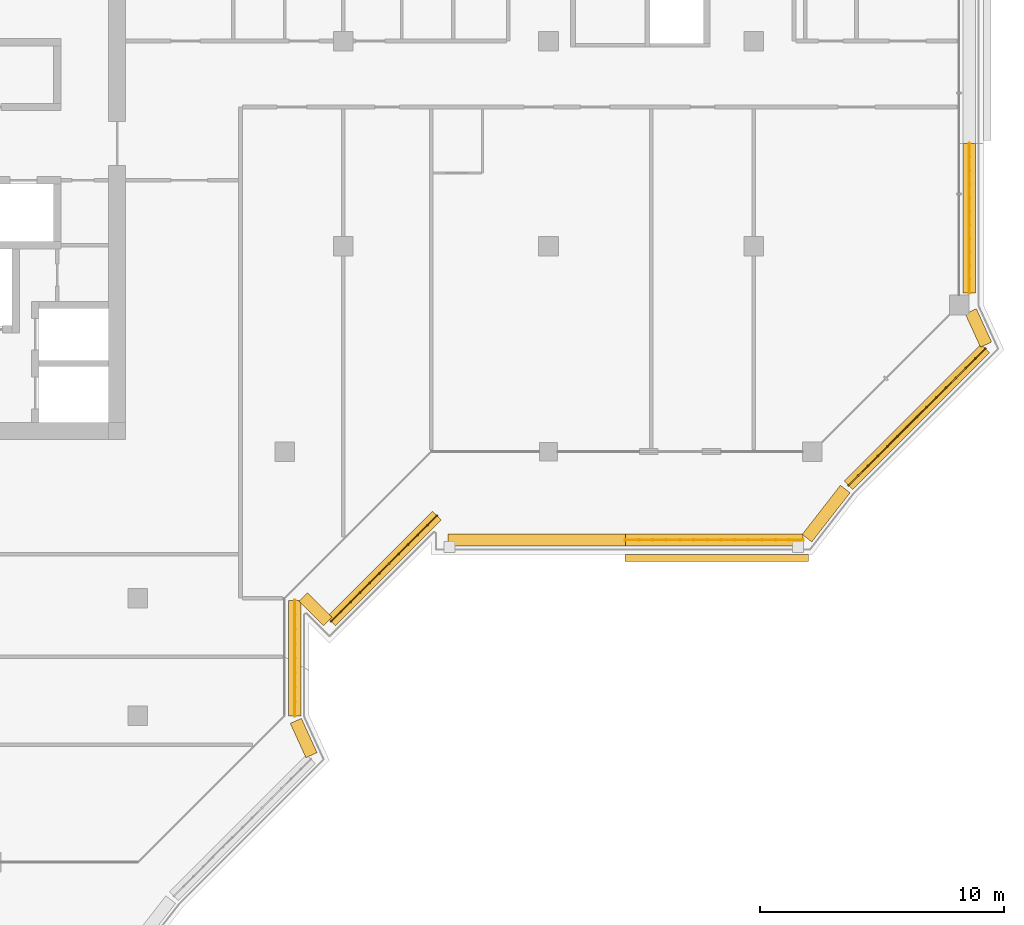
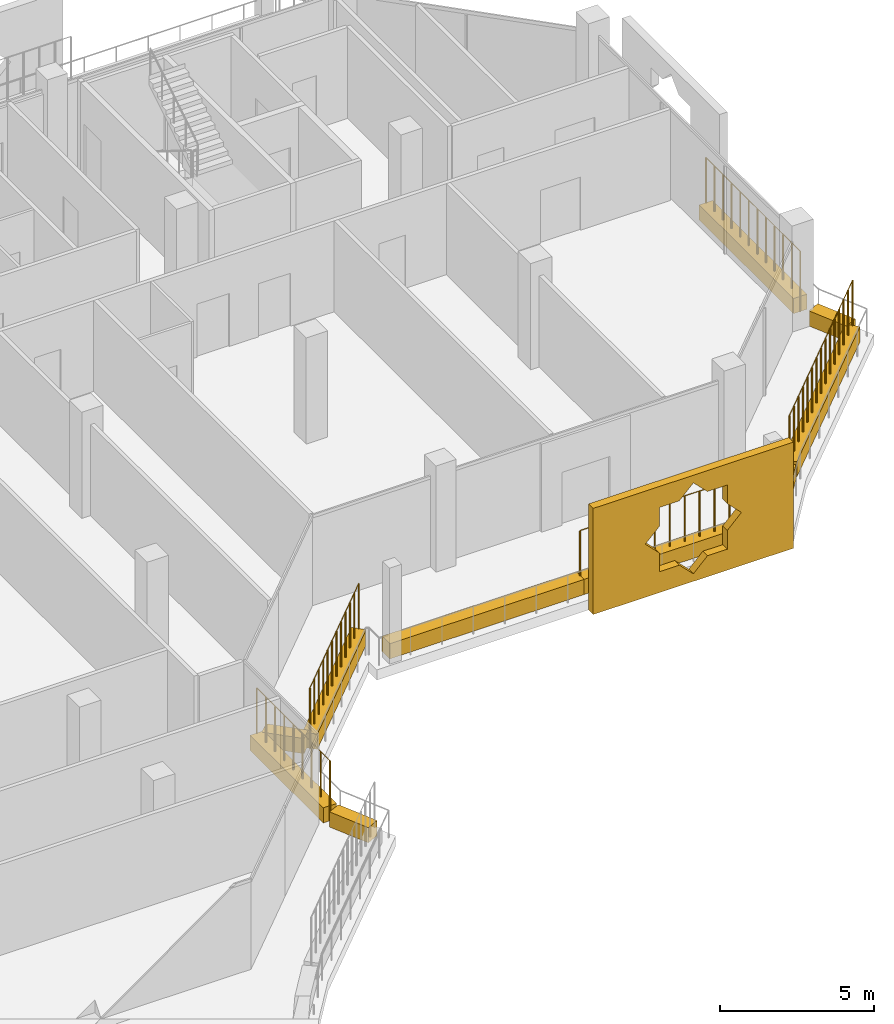
# One storey, part 18 of 21: 11 coverings, 5 railings.
"""IFC4 building model written with IfcOpenShell, lengths in metres."""

import ifcopenshell
import ifcopenshell.guid

model = None  # the IFC model being written
_history = None  # IfcOwnerHistory: only IFC2X3 demands one
_inside = {}  # id of a spatial element -> (the spatial element, [elements in it])
_under = {}  # id of a project, library or spatial element -> (it, [spatial elements below it])
_declared = {}  # id of a project -> (the project, [libraries it declares])
_typed = {}  # id of a type object -> (the type object, [elements of that type])
_made_of = {}  # id of a material, layer set ... -> (it, [elements and type objects made of it])


def new_model(schema):
    """Start an empty IFC model of exactly this schema.

    Asked for "IFC4X3", IfcOpenShell would pick the latest addendum, in which some entities
    have other attributes; the version numbers below select the first issue.
    IFC2X3 requires an IfcOwnerHistory on every rooted entity: one is made here for all.
    """
    global model, _history
    if schema == "IFC4X3":
        model = ifcopenshell.file(schema_version=(4, 3, 0, 0))
    else:
        model = ifcopenshell.file(schema=schema)
    _inside.clear()
    _under.clear()
    _declared.clear()
    _typed.clear()
    _made_of.clear()
    _history = None
    if model.schema == "IFC2X3":
        org = make("IfcOrganization", Name="unknown")
        user = make(
            "IfcPersonAndOrganization",
            ThePerson=make("IfcPerson", FamilyName="unknown"),
            TheOrganization=org,
        )
        app = make(
            "IfcApplication",
            ApplicationDeveloper=org,
            Version="unknown",
            ApplicationFullName="unknown",
            ApplicationIdentifier="unknown",
        )
        _history = make(
            "IfcOwnerHistory",
            OwningUser=user,
            OwningApplication=app,
            ChangeAction="ADDED",
            CreationDate=0,
        )
    return model


def make(cls, **values):
    """One entity of the class cls with the attributes given. An attribute that is None is left unset."""
    return model.create_entity(
        cls, **{name: value for name, value in values.items() if value is not None}
    )


def rooted(cls, **values):
    """An entity with a GlobalId (a new one), such as an element, a storey or a relation."""
    return make(cls, GlobalId=ifcopenshell.guid.new(), OwnerHistory=_history, **values)


def si_unit(unit_type, name, prefix=None):
    """IfcSIUnit, for example si_unit("LENGTHUNIT", "METRE", prefix="MILLI")."""
    return make("IfcSIUnit", UnitType=unit_type, Prefix=prefix, Name=name)


def assignment(units):
    """IfcUnitAssignment: the units of a project."""
    return None if units is None else make("IfcUnitAssignment", Units=units)


def point(xyz):
    """IfcCartesianPoint."""
    return None if xyz is None else make("IfcCartesianPoint", Coordinates=xyz)


def direction(xyz):
    """IfcDirection."""
    return None if xyz is None else make("IfcDirection", DirectionRatios=xyz)


def frame(location, z_axis=None, x_axis=None):
    """IfcAxis2Placement3D, a coordinate frame: its origin and axes. An axis left out is left unset."""
    return make(
        "IfcAxis2Placement3D",
        Location=point(location),
        Axis=direction(z_axis),
        RefDirection=direction(x_axis),
    )


def frame_2d(location, x_axis=None):
    """IfcAxis2Placement2D, a coordinate frame in the plane: its origin and x axis."""
    return make(
        "IfcAxis2Placement2D", Location=point(location), RefDirection=direction(x_axis)
    )


def origin():
    """The frame at (0, 0, 0) with its axes left unset."""
    return frame((0.0, 0.0, 0.0))


def origin_2d():
    """The frame at (0, 0) in the plane with its x axis left unset."""
    return frame_2d((0.0, 0.0))


def place(relative_to, where):
    """IfcLocalPlacement: puts the frame where relative to a parent placement (None: the world)."""
    return make(
        "IfcLocalPlacement", PlacementRelTo=relative_to, RelativePlacement=where
    )


def context(
    kind, dimensions, precision=None, world=None, true_north=None, identifier=None
):
    """IfcGeometricRepresentationContext, for example the 3D "Model" context."""
    return make(
        "IfcGeometricRepresentationContext",
        ContextIdentifier=identifier,
        ContextType=kind,
        CoordinateSpaceDimension=dimensions,
        Precision=precision,
        WorldCoordinateSystem=world,
        TrueNorth=true_north,
    )


def subcontext(parent, identifier, kind, view, scale=None):
    """IfcGeometricRepresentationSubContext, for example "Body" below "Model"."""
    return make(
        "IfcGeometricRepresentationSubContext",
        ContextIdentifier=identifier,
        ContextType=kind,
        ParentContext=parent,
        TargetScale=scale,
        TargetView=view,
    )


def project(units=None, contexts=None):
    """IfcProject with its units and contexts."""
    return rooted(
        "IfcProject",
        Name="project",
        RepresentationContexts=contexts,
        UnitsInContext=assignment(units),
    )


def spatial(cls, under=None, at=None, **own):
    """A site, building, storey or space (cls), placed at a placement, below another one or the project."""
    s = rooted(cls, ObjectPlacement=at, **own)
    if under is not None:
        _under.setdefault(under.id(), (under, []))[1].append(s)
    return s


def polyline(points):
    """IfcPolyline through the points."""
    return make("IfcPolyline", Points=[point(p) for p in points])


def profile(cls, at=None, kind="AREA", **sizes):
    """A parametric profile (cls). Its sizes go by their IFC names, for example OverallWidth=200.0."""
    return make(cls, ProfileType=kind, Position=at, **sizes)


def rectangle(**sizes):
    """IfcRectangleProfileDef."""
    return profile("IfcRectangleProfileDef", **sizes)


def circle(**sizes):
    """IfcCircleProfileDef."""
    return profile("IfcCircleProfileDef", **sizes)


def outline(outer, holes=None, kind="AREA"):
    """IfcArbitraryClosedProfileDef: a profile drawn as a closed curve; with holes, ...WithVoids."""
    if holes is None:
        return make("IfcArbitraryClosedProfileDef", ProfileType=kind, OuterCurve=outer)
    return make(
        "IfcArbitraryProfileDefWithVoids",
        ProfileType=kind,
        OuterCurve=outer,
        InnerCurves=holes,
    )


def extrude(swept, where, along, depth):
    """IfcExtrudedAreaSolid: the profile swept, set in the frame where, extruded along a direction by depth."""
    return make(
        "IfcExtrudedAreaSolid",
        SweptArea=swept,
        Position=where,
        ExtrudedDirection=direction(along),
        Depth=depth,
    )


def shape(context_of_items, identifier, shape_type, items):
    """IfcShapeRepresentation: the items that make up one representation, for example the "Body"."""
    return make(
        "IfcShapeRepresentation",
        ContextOfItems=context_of_items,
        RepresentationIdentifier=identifier,
        RepresentationType=shape_type,
        Items=items,
    )


def material(Name=None, Category=None):
    """IfcMaterial."""
    return make("IfcMaterial", Name=Name, Category=Category)


def material_profile(
    of_material, cross_section, Name=None, Category=None, Priority=None
):
    """IfcMaterialProfile: a cross section and its material."""
    return make(
        "IfcMaterialProfile",
        Name=Name,
        Material=of_material,
        Profile=cross_section,
        Priority=Priority,
        Category=Category,
    )


def profile_set(profiles, Name=None, composite=None):
    """IfcMaterialProfileSet."""
    return make(
        "IfcMaterialProfileSet",
        Name=Name,
        MaterialProfiles=profiles,
        CompositeProfile=composite,
    )


def made_of(thing, what):
    """Note that an element or type object is made of a material, layer set ...; save() writes the relation."""
    if what is not None:
        _made_of.setdefault(what.id(), (what, []))[1].append(thing)
    return thing


def type_object(cls, material=None, **own):
    """A type object (cls), such as IfcWallType, which elements share."""
    return made_of(rooted(cls, **own), material)


def element(
    cls,
    number,
    at=None,
    inside=None,
    cuts=None,
    type_object=None,
    material=None,
    context=None,
    identifier="Body",
    shape_type=None,
    held_by="IfcProductDefinitionShape",
    body=None,
    shapes=None,
    **own,
):
    """One element of the class cls, such as IfcWall. Its Tag is "e" and its number.

    at: its placement. inside: the storey or other place that contains it. cuts: it is an
    opening in that element (IfcRelVoidsElement). A single representation is given by context,
    identifier, shape_type and body (its items); several are given by shapes. held_by: the class
    of the entity that holds the representations. save() writes the other relations.
    """
    e = rooted(cls, Tag="e%d" % number, ObjectPlacement=at, **own)
    if body is not None:
        shapes = [shape(context, identifier, shape_type, body)]
    if shapes is not None:
        e.Representation = make(held_by, Representations=shapes)
    if inside is not None:
        _inside.setdefault(inside.id(), (inside, []))[1].append(e)
    if cuts is not None:
        rooted(
            "IfcRelVoidsElement", RelatingBuildingElement=cuts, RelatedOpeningElement=e
        )
    if type_object is not None:
        _typed.setdefault(type_object.id(), (type_object, []))[1].append(e)
    return made_of(e, material)


def aggregate(whole, parts):
    """IfcRelAggregates: a whole, such as a stair, and the parts it consists of."""
    return rooted("IfcRelAggregates", RelatingObject=whole, RelatedObjects=parts)


def save(model, path):
    """Write the relations noted so far, then the file.

    IfcRelAggregates (storeys below a building ...), IfcRelContainedInSpatialStructure (elements
    in a storey), IfcRelDefinesByType, IfcRelAssociatesMaterial and IfcRelDeclares: one each for
    every whole, place, type object, material and project.
    """
    for whole, parts in _under.values():
        aggregate(whole, parts)
    for where, things in _inside.values():
        rooted(
            "IfcRelContainedInSpatialStructure",
            RelatedElements=things,
            RelatingStructure=where,
        )
    for kind, things in _typed.values():
        rooted("IfcRelDefinesByType", RelatedObjects=things, RelatingType=kind)
    for what, things in _made_of.values():
        rooted("IfcRelAssociatesMaterial", RelatedObjects=things, RelatingMaterial=what)
    for by, libraries in _declared.values():
        rooted("IfcRelDeclares", RelatingContext=by, RelatedDefinitions=libraries)
    model.write(path)


model = new_model("IFC4")

# Units and contexts
model_context = context("Model", 3, precision=1e-05, world=origin(), true_north=direction((0.0, 1.0)))
body_context = subcontext(model_context, "Body", "Model", "MODEL_VIEW")
ifc_project = project(units=[si_unit("LENGTHUNIT", "METRE"), si_unit("AREAUNIT", "SQUARE_METRE"), si_unit("VOLUMEUNIT", "CUBIC_METRE"), si_unit("PLANEANGLEUNIT", "RADIAN"), si_unit("MASSUNIT", "GRAM", prefix="KILO")], contexts=[model_context])

# Site, building, storey
site_placement = place(None, origin())
site = spatial("IfcSite", under=ifc_project, at=site_placement, CompositionType="ELEMENT")
building_placement = place(site_placement, origin())
building = spatial("IfcBuilding", under=site, at=building_placement, Name="Kawkab Arch Medical Tower", CompositionType="ELEMENT")
storey_placement = place(building_placement, frame((0.0, 0.0, 307.0)))
storey = spatial("IfcBuildingStorey", under=building, at=storey_placement, Name="L71", CompositionType="ELEMENT", Elevation=307.0)

# Coverings
ifc_material_1 = material(Name="Bronze anodised aluminium mashrabiya panel, eight-point star pattern", Category="aluminium")
ifc_material_profile_1 = material_profile(ifc_material_1, outline(polyline([(-3.75, -2.10009765625), (3.75, -2.10009765625), (3.75, 2.10009765625), (-3.75, 2.10009765625), (-3.75, -2.10009765625)]), holes=[polyline([(1.800048828125, 0.0), (1.272705078125, 0.527099609375), (1.272705078125, 1.272705078125), (0.527099609375, 1.272705078125), (0.0, 1.800048828125), (-0.527099609375, 1.272705078125), (-1.272705078125, 1.272705078125), (-1.272705078125, 0.527099609375), (-1.800048828125, 0.0), (-1.272705078125, -0.527099609375), (-1.272705078125, -1.272705078125), (-0.527099609375, -1.272705078125), (0.0, -1.800048828125), (0.527099609375, -1.272705078125), (1.272705078125, -1.272705078125), (1.272705078125, -0.527099609375), (1.800048828125, 0.0)])]), Name="Mashrabiya panel 7500x4200")
ifc_profile_set_1 = profile_set([ifc_material_profile_1], Name="Bronze anodised aluminium mashrabiya panel, eight-point star pattern")
covering_type_1 = type_object("IfcCoveringType", Name="Mashrabiya panel 7500 x 4200", PredefinedType="USERDEFINED", material=ifc_profile_set_1)
covering_1_placement = place(storey_placement, frame((48.87890625, -29.39990234375, 1.699951171875), z_axis=(0.0, -1.0, 0.0), x_axis=(1.0, 0.0, 0.0)))
element("IfcCovering", 1, at=covering_1_placement, inside=storey, type_object=covering_type_1, Name="Mashrabiya panel L71.LOG-01-01.7", ObjectType="SCREEN", PredefinedType="USERDEFINED", context=body_context, shape_type="SweptSolid", body=[
    extrude(outline(polyline([(-3.75, -2.10009765625), (3.75, -2.10009765625), (3.75, 2.10009765625), (-3.75, 2.10009765625), (-3.75, -2.10009765625)]), holes=[polyline([(1.800048828125, 0.0), (1.272705078125, 0.527099609375), (1.272705078125, 1.272705078125), (0.527099609375, 1.272705078125), (0.0, 1.800048828125), (-0.527099609375, 1.272705078125), (-1.272705078125, 1.272705078125), (-1.272705078125, 0.527099609375), (-1.800048828125, 0.0), (-1.272705078125, -0.527099609375), (-1.272705078125, -1.272705078125), (-0.527099609375, -1.272705078125), (0.0, -1.800048828125), (0.527099609375, -1.272705078125), (1.272705078125, -1.272705078125), (1.272705078125, -0.527099609375), (1.800048828125, 0.0)])]), origin(), (0.0, 0.0, 1.0), 0.300048828125),
])
ifc_material_2 = material(Name="Planting soil in a precast trough", Category="concrete")
ifc_material_profile_2 = material_profile(ifc_material_2, rectangle(XDim=0.5, YDim=0.60009765625, at=origin_2d()), Name="Trough 500x600")
ifc_profile_set_2 = profile_set([ifc_material_profile_2], Name="Planting soil in a precast trough")
covering_type_2 = type_object("IfcCoveringType", Name="Planter trough 500 x 600", PredefinedType="USERDEFINED", material=ifc_profile_set_2)
covering_2_placement = place(storey_placement, frame((59.219970703125, -12.60009765625, 0.300048828125), z_axis=(0.0, -1.0, 0.0), x_axis=(1.0, 0.0, 0.0)))
element("IfcCovering", 2, at=covering_2_placement, inside=storey, type_object=covering_type_2, Name="Planter L71.LOG-01-01.23", ObjectType="PLANTER", PredefinedType="USERDEFINED", context=body_context, shape_type="SweptSolid", body=[
    extrude(rectangle(XDim=0.5, YDim=0.60009765625, at=origin_2d()), origin(), (0.0, 0.0, 1.0), 6.119873046875),
])
covering_3_placement = place(storey_placement, frame((59.280029296875, -19.4580078125, 0.300048828125), z_axis=(0.415189748133, -0.909734836667, 0.0), x_axis=(0.909734836667, 0.415189748133, 0.0)))
element("IfcCovering", 3, at=covering_3_placement, inside=storey, type_object=covering_type_2, Name="Planter L71.LOG-01-01.24", ObjectType="PLANTER", PredefinedType="USERDEFINED", context=body_context, shape_type="SweptSolid", body=[
    extrude(rectangle(XDim=0.5, YDim=0.60009765625, at=origin_2d()), origin(), (0.0, 0.0, 1.0), 1.498291015625),
])
covering_4_placement = place(storey_placement, frame((59.873046875, -20.98291015625, 0.300048828125), z_axis=(-0.707106781187, -0.707106781187, 0.0), x_axis=(0.707106781187, -0.707106781187, 0.0)))
element("IfcCovering", 4, at=covering_4_placement, inside=storey, type_object=covering_type_2, Name="Planter L71.LOG-01-01.25", ObjectType="PLANTER", PredefinedType="USERDEFINED", context=body_context, shape_type="SweptSolid", body=[
    extrude(rectangle(XDim=0.5, YDim=0.60009765625, at=origin_2d()), origin(), (0.0, 0.0, 1.0), 7.919677734375),
])
covering_5_placement = place(storey_placement, frame((54.14111328125, -26.73193359375, 0.300048828125), z_axis=(-0.614099956103, -0.789228258436, 0.0), x_axis=(0.789228258436, -0.614099956103, 0.0)))
element("IfcCovering", 5, at=covering_5_placement, inside=storey, type_object=covering_type_2, Name="Planter L71.LOG-01-01.26", ObjectType="PLANTER", PredefinedType="USERDEFINED", context=body_context, shape_type="SweptSolid", body=[
    extrude(rectangle(XDim=0.5, YDim=0.60009765625, at=origin_2d()), origin(), (0.0, 0.0, 1.0), 2.545654296875),
])
for number, where, z_axis, x_axis, name in (
    (6, (52.416015625, -28.820068359375, 0.300048828125), (-1.0, 0.0, 0.0), (0.0, -1.0, 0.0), "Planter L71.LOG-01-01.27"),
    (7, (45.14794921875, -28.820068359375, 0.300048828125), (-1.0, 0.0, 0.0), (0.0, -1.0, 0.0), "Planter L71.LOG-01-01.28"),
):
    element("IfcCovering", number, at=place(storey_placement, frame(where, z_axis=z_axis, x_axis=x_axis)), inside=storey, type_object=covering_type_2, Name=name, ObjectType="PLANTER", PredefinedType="USERDEFINED", context=body_context, shape_type="SweptSolid", body=[
        extrude(rectangle(XDim=0.5, YDim=0.60009765625, at=origin_2d()), origin(), (0.0, 0.0, 1.0), 7.26806640625),
    ])
covering_6_placement = place(storey_placement, frame((37.43701171875, -27.820068359375, 0.300048828125), z_axis=(-0.707206504313, -0.707007043994, 0.0), x_axis=(0.707007043994, -0.707206504313, 0.0)))
element("IfcCovering", 8, at=covering_6_placement, inside=storey, type_object=covering_type_2, Name="Planter L71.LOG-01-01.29", ObjectType="PLANTER", PredefinedType="USERDEFINED", context=body_context, shape_type="SweptSolid", body=[
    extrude(rectangle(XDim=0.5, YDim=0.60009765625, at=origin_2d()), origin(), (0.0, 0.0, 1.0), 6.1201171875),
])
covering_7_placement = place(storey_placement, frame((32.967041015625, -32.14697265625, 0.300048828125), z_axis=(-0.707192746389, 0.707020805532, 0.0), x_axis=(-0.707020805532, -0.707192746389, 0.0)))
element("IfcCovering", 9, at=covering_7_placement, inside=storey, type_object=covering_type_2, Name="Planter L71.LOG-01-01.30", ObjectType="PLANTER", PredefinedType="USERDEFINED", context=body_context, shape_type="SweptSolid", body=[
    extrude(rectangle(XDim=0.5, YDim=0.60009765625, at=origin_2d()), origin(), (0.0, 0.0, 1.0), 1.419921875),
])
covering_8_placement = place(storey_placement, frame((31.6201171875, -31.284912109375, 0.300048828125), z_axis=(0.0, -1.0, 0.0), x_axis=(1.0, 0.0, 0.0)))
element("IfcCovering", 10, at=covering_8_placement, inside=storey, type_object=covering_type_2, Name="Planter L71.LOG-01-01.31", ObjectType="PLANTER", PredefinedType="USERDEFINED", context=body_context, shape_type="SweptSolid", body=[
    extrude(rectangle(XDim=0.5, YDim=0.60009765625, at=origin_2d()), origin(), (0.0, 0.0, 1.0), 4.740966796875),
])
covering_9_placement = place(storey_placement, frame((31.660888671875, -36.217041015625, 0.300048828125), z_axis=(0.415363486165, -0.909655525109, 0.0), x_axis=(0.909655525109, 0.415363486165, 0.0)))
element("IfcCovering", 11, at=covering_9_placement, inside=storey, type_object=covering_type_2, Name="Planter L71.LOG-01-01.32", ObjectType="PLANTER", PredefinedType="USERDEFINED", context=body_context, shape_type="SweptSolid", body=[
    extrude(rectangle(XDim=0.5, YDim=0.60009765625, at=origin_2d()), origin(), (0.0, 0.0, 1.0), 1.54345703125),
])

# Railings
ifc_material_3 = material(Name="Bronze anodised aluminium trellis for climbing plants", Category="aluminium")
railing_type = type_object("IfcRailingType", Name="Planting trellis 2400", PredefinedType="USERDEFINED", material=ifc_material_3)
railing_1_placement = place(storey_placement, frame((59.219970703125, -12.60009765625, 0.0)))
element("IfcRailing", 12, at=railing_1_placement, inside=storey, type_object=railing_type, Name="Planting trellis L71.LOG-01-01.23", ObjectType="TRELLIS", PredefinedType="USERDEFINED", context=body_context, shape_type="SweptSolid", body=[
    extrude(circle(Radius=0.01513671875, at=origin_2d()), frame((0.0, 0.0, 2.384765625), z_axis=(0.0, -1.0, 0.0), x_axis=(1.0, 0.0, 0.0)), (0.0, 0.0, 1.0), 6.119873046875),
    extrude(circle(Radius=0.030029296875, at=origin_2d()), origin(), (0.0, 0.0, 1.0), 2.369873046875),
    extrude(circle(Radius=0.030029296875, at=origin_2d()), frame((0.0, -0.556396484375, 0.0)), (0.0, 0.0, 1.0), 2.369873046875),
    extrude(circle(Radius=0.030029296875, at=origin_2d()), frame((0.0, -1.11279296875, 0.0)), (0.0, 0.0, 1.0), 2.369873046875),
    extrude(circle(Radius=0.030029296875, at=origin_2d()), frame((0.0, -1.6689453125, 0.0)), (0.0, 0.0, 1.0), 2.369873046875),
    extrude(circle(Radius=0.030029296875, at=origin_2d()), frame((0.0, -2.225341796875, 0.0)), (0.0, 0.0, 1.0), 2.369873046875),
    extrude(circle(Radius=0.030029296875, at=origin_2d()), frame((0.0, -2.78173828125, 0.0)), (0.0, 0.0, 1.0), 2.369873046875),
    extrude(circle(Radius=0.030029296875, at=origin_2d()), frame((0.0, -3.338134765625, 0.0)), (0.0, 0.0, 1.0), 2.369873046875),
    extrude(circle(Radius=0.030029296875, at=origin_2d()), frame((0.0, -3.89453125, 0.0)), (0.0, 0.0, 1.0), 2.369873046875),
    extrude(circle(Radius=0.030029296875, at=origin_2d()), frame((0.0, -4.450927734375, 0.0)), (0.0, 0.0, 1.0), 2.369873046875),
    extrude(circle(Radius=0.030029296875, at=origin_2d()), frame((0.0, -5.007080078125, 0.0)), (0.0, 0.0, 1.0), 2.369873046875),
    extrude(circle(Radius=0.030029296875, at=origin_2d()), frame((0.0, -5.5634765625, 0.0)), (0.0, 0.0, 1.0), 2.369873046875),
    extrude(circle(Radius=0.030029296875, at=origin_2d()), frame((0.0, -6.119873046875, 0.0)), (0.0, 0.0, 1.0), 2.369873046875),
])
railing_2_placement = place(storey_placement, frame((59.873046875, -20.98291015625, 0.0)))
element("IfcRailing", 13, at=railing_2_placement, inside=storey, type_object=railing_type, Name="Planting trellis L71.LOG-01-01.25", ObjectType="TRELLIS", PredefinedType="USERDEFINED", context=body_context, shape_type="SweptSolid", body=[
    extrude(circle(Radius=0.01513671875, at=origin_2d()), frame((0.0, 0.0, 2.384765625), z_axis=(-0.707106781187, -0.707106781187, 0.0), x_axis=(0.707106781187, -0.707106781187, 0.0)), (0.0, 0.0, 1.0), 7.919677734375),
    extrude(circle(Radius=0.030029296875, at=origin_2d()), origin(), (0.0, 0.0, 1.0), 2.369873046875),
    extrude(circle(Radius=0.030029296875, at=origin_2d()), frame((-0.39990234375, -0.39990234375, 0.0)), (0.0, 0.0, 1.0), 2.369873046875),
    extrude(circle(Radius=0.030029296875, at=origin_2d()), frame((-0.800048828125, -0.800048828125, 0.0)), (0.0, 0.0, 1.0), 2.369873046875),
    extrude(circle(Radius=0.030029296875, at=origin_2d()), frame((-1.199951171875, -1.199951171875, 0.0)), (0.0, 0.0, 1.0), 2.369873046875),
    extrude(circle(Radius=0.030029296875, at=origin_2d()), frame((-1.60009765625, -1.60009765625, 0.0)), (0.0, 0.0, 1.0), 2.369873046875),
    extrude(circle(Radius=0.030029296875, at=origin_2d()), frame((-2.0, -2.0, 0.0)), (0.0, 0.0, 1.0), 2.369873046875),
    extrude(circle(Radius=0.030029296875, at=origin_2d()), frame((-2.400146484375, -2.400146484375, 0.0)), (0.0, 0.0, 1.0), 2.369873046875),
    extrude(circle(Radius=0.030029296875, at=origin_2d()), frame((-2.800048828125, -2.800048828125, 0.0)), (0.0, 0.0, 1.0), 2.369873046875),
    extrude(circle(Radius=0.030029296875, at=origin_2d()), frame((-3.199951171875, -3.199951171875, 0.0)), (0.0, 0.0, 1.0), 2.369873046875),
    extrude(circle(Radius=0.030029296875, at=origin_2d()), frame((-3.60009765625, -3.60009765625, 0.0)), (0.0, 0.0, 1.0), 2.369873046875),
    extrude(circle(Radius=0.030029296875, at=origin_2d()), frame((-4.0, -4.0, 0.0)), (0.0, 0.0, 1.0), 2.369873046875),
    extrude(circle(Radius=0.030029296875, at=origin_2d()), frame((-4.400146484375, -4.400146484375, 0.0)), (0.0, 0.0, 1.0), 2.369873046875),
    extrude(circle(Radius=0.030029296875, at=origin_2d()), frame((-4.800048828125, -4.800048828125, 0.0)), (0.0, 0.0, 1.0), 2.369873046875),
    extrude(circle(Radius=0.030029296875, at=origin_2d()), frame((-5.2001953125, -5.2001953125, 0.0)), (0.0, 0.0, 1.0), 2.369873046875),
    extrude(circle(Radius=0.030029296875, at=origin_2d()), frame((-5.60009765625, -5.60009765625, 0.0)), (0.0, 0.0, 1.0), 2.369873046875),
])
railing_3_placement = place(storey_placement, frame((52.416015625, -28.820068359375, 0.0)))
element("IfcRailing", 14, at=railing_3_placement, inside=storey, type_object=railing_type, Name="Planting trellis L71.LOG-01-01.27", ObjectType="TRELLIS", PredefinedType="USERDEFINED", context=body_context, shape_type="SweptSolid", body=[
    extrude(circle(Radius=0.01513671875, at=origin_2d()), frame((0.0, 0.0, 2.384765625), z_axis=(-1.0, 0.0, 0.0), x_axis=(0.0, -1.0, 0.0)), (0.0, 0.0, 1.0), 7.26806640625),
    extrude(circle(Radius=0.030029296875, at=origin_2d()), origin(), (0.0, 0.0, 1.0), 2.369873046875),
    extrude(circle(Radius=0.030029296875, at=origin_2d()), frame((-0.55908203125, 0.0, 0.0)), (0.0, 0.0, 1.0), 2.369873046875),
    extrude(circle(Radius=0.030029296875, at=origin_2d()), frame((-1.1181640625, 0.0, 0.0)), (0.0, 0.0, 1.0), 2.369873046875),
    extrude(circle(Radius=0.030029296875, at=origin_2d()), frame((-1.67724609375, 0.0, 0.0)), (0.0, 0.0, 1.0), 2.369873046875),
    extrude(circle(Radius=0.030029296875, at=origin_2d()), frame((-2.236328125, 0.0, 0.0)), (0.0, 0.0, 1.0), 2.369873046875),
    extrude(circle(Radius=0.030029296875, at=origin_2d()), frame((-2.79541015625, 0.0, 0.0)), (0.0, 0.0, 1.0), 2.369873046875),
    extrude(circle(Radius=0.030029296875, at=origin_2d()), frame((-3.3544921875, 0.0, 0.0)), (0.0, 0.0, 1.0), 2.369873046875),
    extrude(circle(Radius=0.030029296875, at=origin_2d()), frame((-3.91357421875, 0.0, 0.0)), (0.0, 0.0, 1.0), 2.369873046875),
    extrude(circle(Radius=0.030029296875, at=origin_2d()), frame((-4.47265625, 0.0, 0.0)), (0.0, 0.0, 1.0), 2.369873046875),
    extrude(circle(Radius=0.030029296875, at=origin_2d()), frame((-5.03173828125, 0.0, 0.0)), (0.0, 0.0, 1.0), 2.369873046875),
    extrude(circle(Radius=0.030029296875, at=origin_2d()), frame((-5.5908203125, 0.0, 0.0)), (0.0, 0.0, 1.0), 2.369873046875),
    extrude(circle(Radius=0.030029296875, at=origin_2d()), frame((-6.14990234375, 0.0, 0.0)), (0.0, 0.0, 1.0), 2.369873046875),
    extrude(circle(Radius=0.030029296875, at=origin_2d()), frame((-6.708984375, 0.0, 0.0)), (0.0, 0.0, 1.0), 2.369873046875),
    extrude(circle(Radius=0.030029296875, at=origin_2d()), frame((-7.26806640625, 0.0, 0.0)), (0.0, 0.0, 1.0), 2.369873046875),
])
railing_4_placement = place(storey_placement, frame((37.43701171875, -27.820068359375, 0.0)))
element("IfcRailing", 15, at=railing_4_placement, inside=storey, type_object=railing_type, Name="Planting trellis L71.LOG-01-01.29", ObjectType="TRELLIS", PredefinedType="USERDEFINED", context=body_context, shape_type="SweptSolid", body=[
    extrude(circle(Radius=0.01513671875, at=origin_2d()), frame((0.0, 0.0, 2.384765625), z_axis=(-0.707206504313, -0.707007043994, 0.0), x_axis=(0.707007043994, -0.707206504313, 0.0)), (0.0, 0.0, 1.0), 6.1201171875),
    extrude(circle(Radius=0.030029296875, at=origin_2d()), origin(), (0.0, 0.0, 1.0), 2.369873046875),
    extrude(circle(Radius=0.030029296875, at=origin_2d()), frame((-0.3935546875, -0.393310546875, 0.0)), (0.0, 0.0, 1.0), 2.369873046875),
    extrude(circle(Radius=0.030029296875, at=origin_2d()), frame((-0.786865234375, -0.78662109375, 0.0)), (0.0, 0.0, 1.0), 2.369873046875),
    extrude(circle(Radius=0.030029296875, at=origin_2d()), frame((-1.180419921875, -1.18017578125, 0.0)), (0.0, 0.0, 1.0), 2.369873046875),
    extrude(circle(Radius=0.030029296875, at=origin_2d()), frame((-1.573974609375, -1.573486328125, 0.0)), (0.0, 0.0, 1.0), 2.369873046875),
    extrude(circle(Radius=0.030029296875, at=origin_2d()), frame((-1.96728515625, -1.966796875, 0.0)), (0.0, 0.0, 1.0), 2.369873046875),
    extrude(circle(Radius=0.030029296875, at=origin_2d()), frame((-2.36083984375, -2.360107421875, 0.0)), (0.0, 0.0, 1.0), 2.369873046875),
    extrude(circle(Radius=0.030029296875, at=origin_2d()), frame((-2.754150390625, -2.75341796875, 0.0)), (0.0, 0.0, 1.0), 2.369873046875),
    extrude(circle(Radius=0.030029296875, at=origin_2d()), frame((-3.147705078125, -3.146728515625, 0.0)), (0.0, 0.0, 1.0), 2.369873046875),
    extrude(circle(Radius=0.030029296875, at=origin_2d()), frame((-3.541259765625, -3.540283203125, 0.0)), (0.0, 0.0, 1.0), 2.369873046875),
    extrude(circle(Radius=0.030029296875, at=origin_2d()), frame((-3.9345703125, -3.93359375, 0.0)), (0.0, 0.0, 1.0), 2.369873046875),
    extrude(circle(Radius=0.030029296875, at=origin_2d()), frame((-4.328125, -4.326904296875, 0.0)), (0.0, 0.0, 1.0), 2.369873046875),
])
railing_5_placement = place(storey_placement, frame((31.6201171875, -31.284912109375, 0.0)))
element("IfcRailing", 16, at=railing_5_placement, inside=storey, type_object=railing_type, Name="Planting trellis L71.LOG-01-01.31", ObjectType="TRELLIS", PredefinedType="USERDEFINED", context=body_context, shape_type="SweptSolid", body=[
    extrude(circle(Radius=0.01513671875, at=origin_2d()), frame((0.0, 0.0, 2.384765625), z_axis=(0.0, -1.0, 0.0), x_axis=(1.0, 0.0, 0.0)), (0.0, 0.0, 1.0), 4.740966796875),
    extrude(circle(Radius=0.030029296875, at=origin_2d()), origin(), (0.0, 0.0, 1.0), 2.369873046875),
    extrude(circle(Radius=0.030029296875, at=origin_2d()), frame((0.0, -0.592529296875, 0.0)), (0.0, 0.0, 1.0), 2.369873046875),
    extrude(circle(Radius=0.030029296875, at=origin_2d()), frame((0.0, -1.185302734375, 0.0)), (0.0, 0.0, 1.0), 2.369873046875),
    extrude(circle(Radius=0.030029296875, at=origin_2d()), frame((0.0, -1.77783203125, 0.0)), (0.0, 0.0, 1.0), 2.369873046875),
    extrude(circle(Radius=0.030029296875, at=origin_2d()), frame((0.0, -2.37060546875, 0.0)), (0.0, 0.0, 1.0), 2.369873046875),
    extrude(circle(Radius=0.030029296875, at=origin_2d()), frame((0.0, -2.963134765625, 0.0)), (0.0, 0.0, 1.0), 2.369873046875),
    extrude(circle(Radius=0.030029296875, at=origin_2d()), frame((0.0, -3.5556640625, 0.0)), (0.0, 0.0, 1.0), 2.369873046875),
    extrude(circle(Radius=0.030029296875, at=origin_2d()), frame((0.0, -4.1484375, 0.0)), (0.0, 0.0, 1.0), 2.369873046875),
    extrude(circle(Radius=0.030029296875, at=origin_2d()), frame((0.0, -4.740966796875, 0.0)), (0.0, 0.0, 1.0), 2.369873046875),
])

save(model, "model.ifc")
